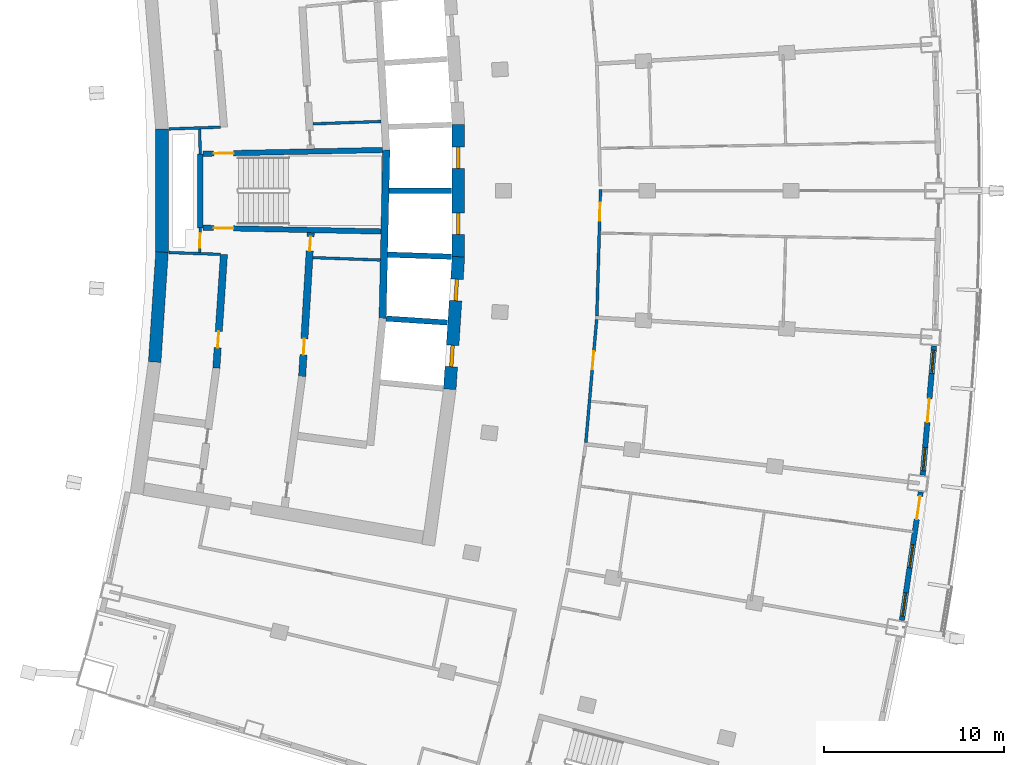
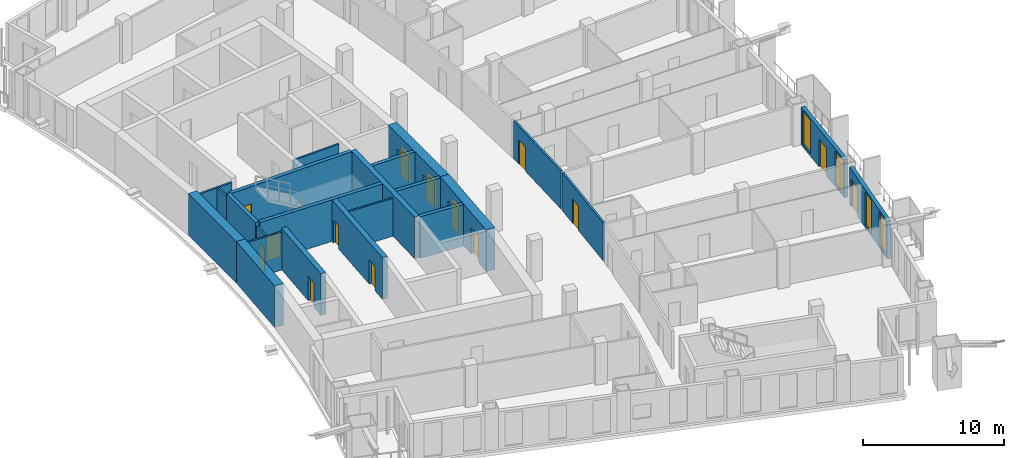
# One storey, part 13 of 22: 23 walls, 14 doors, 4 windows, 18 openings.
"""IFC4 building model written with IfcOpenShell, lengths in metres."""

from ifc_helpers import new_model, si_unit, direction, frame, frame_2d, origin, place, context, subcontext, project, spatial, rectangle, extrude, material, layer, layer_set, type_object, element, fill, save


model = new_model("IFC4")

# Units and contexts
model_context = context("Model", 3, precision=1e-05, world=origin(), true_north=direction((0.0, 1.0)))
body_context = subcontext(model_context, "Body", "Model", "MODEL_VIEW")
ifc_project = project(units=[si_unit("LENGTHUNIT", "METRE"), si_unit("AREAUNIT", "SQUARE_METRE"), si_unit("VOLUMEUNIT", "CUBIC_METRE"), si_unit("PLANEANGLEUNIT", "RADIAN"), si_unit("MASSUNIT", "GRAM", prefix="KILO")], contexts=[model_context])

# Site, building, storey
site_placement = place(None, origin())
site = spatial("IfcSite", under=ifc_project, at=site_placement, CompositionType="ELEMENT")
building_placement = place(site_placement, origin())
building = spatial("IfcBuilding", under=site, at=building_placement, Name="Alderwake Tower", CompositionType="ELEMENT")
storey_placement = place(building_placement, frame((0.0, 0.0, 156.800048828125)))
storey = spatial("IfcBuildingStorey", under=building, at=storey_placement, Name="L38", CompositionType="ELEMENT", Elevation=156.800048828125)

# Walls
ifc_material_1 = material(Name="Gypsum shaft wall system, rated")
ifc_layer_1 = layer(ifc_material_1, 0.14990234375)
ifc_layer_set_1 = layer_set([ifc_layer_1], Name="Core riser partition 150")
wall_type_1 = type_object("IfcWallType", Name="Core riser partition 150", PredefinedType="PARTITIONING", material=ifc_layer_set_1)
wall_1_placement = place(storey_placement, frame((25.1904296875, 57.276611328125, 0.0), z_axis=(0.0, 0.0, 1.0), x_axis=(0.99937350076, -0.035392173974, 0.0)))
element("IfcWall", 1, at=wall_1_placement, inside=storey, type_object=wall_type_1, Name="CW/L38/PR-37_+86", PredefinedType="PARTITIONING", context=body_context, shape_type="SweptSolid", body=[
    extrude(rectangle(XDim=3.752685546875, YDim=0.14990234375, at=frame_2d((1.87646484375, 0.0))), origin(), (0.0, 0.0, 1.0), 3.280029296875),
])
wall_2_placement = place(storey_placement, frame((25.191162109375, 64.723388671875, 0.0), z_axis=(0.0, 0.0, 1.0), x_axis=(0.999373627871, 0.035388584556, 0.0)))
element("IfcWall", 2, at=wall_2_placement, inside=storey, type_object=wall_type_1, Name="CW/L38/PR+37_+86", PredefinedType="PARTITIONING", context=body_context, shape_type="SweptSolid", body=[
    extrude(rectangle(XDim=3.79443359375, YDim=0.14990234375, at=frame_2d((1.897216796875, 0.0))), origin(), (0.0, 0.0, 1.0), 3.280029296875),
])

# Wall, opening, door
ifc_material_2 = material(Name="Gypsum shaft wall system, rated")
ifc_layer_2 = layer(ifc_material_2, 0.14990234375)
ifc_layer_set_2 = layer_set([ifc_layer_2], Name="Core room partition 150")
wall_type_2 = type_object("IfcWallType", Name="Core room partition 150", PredefinedType="PARTITIONING", material=ifc_layer_set_2)
wall_3_placement = place(storey_placement, frame((18.918701171875, 58.94384765625, 0.0), z_axis=(0.0, 0.0, 1.0), x_axis=(-0.027811602725, -0.999613182563, 0.0)))
wall_3 = element("IfcWall", 3, at=wall_3_placement, inside=storey, type_object=wall_type_2, Name="CW/L38/PA+24_-37", PredefinedType="PARTITIONING", context=body_context, shape_type="SweptSolid", body=[
    extrude(rectangle(XDim=1.369384765625, YDim=0.14990234375, at=frame_2d((0.6845703125, 0.0))), origin(), (0.0, 0.0, 1.0), 3.280029296875),
])
opening_1_placement = place(wall_3_placement, frame((0.322998046875, 0.0, 0.0)))
opening_1 = element("IfcOpeningElement", 4, at=opening_1_placement, cuts=wall_3, Name="Opening C004", PredefinedType="OPENING", context=body_context, shape_type="SweptSolid", body=[
    extrude(rectangle(XDim=0.800048828125, YDim=2.0, at=frame_2d((0.39990234375, 1.0))), frame((0.0, 0.0849609375, 0.0), z_axis=(0.0, -1.0, 0.0), x_axis=(1.0, 0.0, 0.0)), (0.0, 0.0, 1.0), 0.169921875),
])
ifc_material_3 = material(Name="Painted steel leaf, rated", Category="steel")
door_type_1 = type_object("IfcDoorType", Name="Riser access door 800", OperationType="SINGLE_SWING_LEFT", PredefinedType="DOOR", material=ifc_material_3)
door_1_placement = place(opening_1_placement, origin())
door_1 = element("IfcDoor", 5, at=door_1_placement, inside=storey, type_object=door_type_1, Name="Riser access door", OperationType="SINGLE_SWING_RIGHT", OverallHeight=2.0, OverallWidth=0.800048828125, PredefinedType="DOOR", context=body_context, shape_type="SweptSolid", body=[
    extrude(rectangle(XDim=0.800048828125, YDim=2.0, at=frame_2d((0.39990234375, 1.0))), frame((0.0, 0.02490234375, 0.0), z_axis=(0.0, -1.0, 0.0), x_axis=(1.0, 0.0, 0.0)), (0.0, 0.0, 1.0), 0.050048828125),
])
fill(opening_1, door_1)

# Walls
wall_4_placement = place(storey_placement, frame((18.918701171875, 63.05517578125, 0.0), z_axis=(0.0, 0.0, 1.0), x_axis=(-0.027791791559, 0.99961373356, 0.0)))
element("IfcWall", 6, at=wall_4_placement, inside=storey, type_object=wall_type_2, Name="CW/L38/PA+24_+22", PredefinedType="PARTITIONING", context=body_context, shape_type="SweptSolid", body=[
    extrude(rectangle(XDim=1.370361328125, YDim=0.14990234375, at=frame_2d((0.68505859375, 0.0))), origin(), (0.0, 0.0, 1.0), 3.280029296875),
])
wall_5_placement = place(storey_placement, frame((17.169189453125, 57.560546875, 0.0), z_axis=(0.0, 0.0, 1.0), x_axis=(0.999373538371, -0.03539111194, 0.0)))
element("IfcWall", 7, at=wall_5_placement, inside=storey, type_object=wall_type_2, Name="CW/L38/PR-37_+0", PredefinedType="PARTITIONING", context=body_context, shape_type="SweptSolid", body=[
    extrude(rectangle(XDim=2.86962890625, YDim=0.14990234375, at=frame_2d((1.434814453125, 0.0))), origin(), (0.0, 0.0, 1.0), 3.280029296875),
])
wall_6_placement = place(storey_placement, frame((17.16943359375, 64.439453125, 0.0), z_axis=(0.0, 0.0, 1.0), x_axis=(0.999373431798, 0.035394121201, 0.0)))
element("IfcWall", 8, at=wall_6_placement, inside=storey, type_object=wall_type_2, Name="CW/L38/PR+37_+0", PredefinedType="PARTITIONING", context=body_context, shape_type="SweptSolid", body=[
    extrude(rectangle(XDim=2.869384765625, YDim=0.14990234375, at=frame_2d((1.4345703125, 0.0))), origin(), (0.0, 0.0, 1.0), 3.280029296875),
])
ifc_material_4 = material(Name="Concrete C70/85", Category="concrete")
ifc_layer_3 = layer(ifc_material_4, 0.699951171875)
ifc_layer_set_3 = layer_set([ifc_layer_3], Name="Core wall outer 700 C70-85")
wall_type_3 = type_object("IfcWallType", Name="Core wall outer 700 C70-85", PredefinedType="SHEAR", material=ifc_layer_set_3)
wall_7_placement = place(storey_placement, frame((16.379638671875, 51.46337890625, 0.0), z_axis=(0.0, 0.0, 1.0), x_axis=(0.066917731608, 0.997758496429, 0.0)))
element("IfcWall", 9, at=wall_7_placement, inside=storey, type_object=wall_type_3, Name="Core wall CW.041", PredefinedType="SHEAR", context=body_context, shape_type="SweptSolid", body=[
    extrude(rectangle(XDim=6.136474609375, YDim=0.699951171875, at=frame_2d((3.068359375, 0.0))), origin(), (0.0, 0.0, 1.0), 3.599853515625),
])
wall_8_placement = place(storey_placement, frame((16.789306640625, 57.561767578125, 0.0), z_axis=(0.0, 0.0, 1.0), x_axis=(0.0, 1.0, 0.0)))
element("IfcWall", 10, at=wall_8_placement, inside=storey, type_object=wall_type_3, Name="Core wall CW.043", PredefinedType="SHEAR", context=body_context, shape_type="SweptSolid", body=[
    extrude(rectangle(XDim=6.87939453125, YDim=0.699951171875, at=frame_2d((3.439697265625, 0.0))), origin(), (0.0, 0.0, 1.0), 3.599853515625),
])

# Wall, openings, doors
wall_9_placement = place(storey_placement, frame((32.810302734375, 49.9482421875, 0.0), z_axis=(0.0, 0.0, 1.0), x_axis=(0.065009096017, 0.99788467141, 0.0)))
wall_9 = element("IfcWall", 11, at=wall_9_placement, inside=storey, type_object=wall_type_3, Name="Core wall CW.011", PredefinedType="SHEAR", context=body_context, shape_type="SweptSolid", body=[
    extrude(rectangle(XDim=7.39453125, YDim=0.699951171875, at=frame_2d((3.697265625, 0.0))), origin(), (0.0, 0.0, 1.0), 3.599853515625),
])
opening_2_placement = place(wall_9_placement, frame((1.255126953125, 0.0, 0.0)))
opening_2 = element("IfcOpeningElement", 12, at=opening_2_placement, cuts=wall_9, Name="Opening LD-HP1", PredefinedType="OPENING", context=body_context, shape_type="SweptSolid", body=[
    extrude(rectangle(XDim=1.199951171875, YDim=2.300048828125, at=frame_2d((0.60009765625, 1.14990234375))), frame((0.0, 0.35986328125, 0.0), z_axis=(0.0, -1.0, 0.0), x_axis=(1.0, 0.0, 0.0)), (0.0, 0.0, 1.0), 0.719970703125),
])
opening_3_placement = place(wall_9_placement, frame((4.9404296875, 0.0, 0.0)))
opening_3 = element("IfcOpeningElement", 13, at=opening_3_placement, cuts=wall_9, Name="Opening LD-HP2", PredefinedType="OPENING", context=body_context, shape_type="SweptSolid", body=[
    extrude(rectangle(XDim=1.199951171875, YDim=2.300048828125, at=frame_2d((0.60009765625, 1.14990234375))), frame((0.0, 0.35986328125, 0.0), z_axis=(0.0, -1.0, 0.0), x_axis=(1.0, 0.0, 0.0)), (0.0, 0.0, 1.0), 0.719970703125),
])
ifc_material_5 = material(Name="Stainless steel sliding leaf", Category="steel")
door_type_2 = type_object("IfcDoorType", Name="Lift landing door 1200", OperationType="SLIDING_TO_LEFT", PredefinedType="DOOR", material=ifc_material_5)
door_2_placement = place(opening_2_placement, origin())
door_2 = element("IfcDoor", 14, at=door_2_placement, inside=storey, type_object=door_type_2, Name="Lift landing door HP1", OperationType="SLIDING_TO_LEFT", OverallHeight=2.300048828125, OverallWidth=1.199951171875, PredefinedType="DOOR", context=body_context, shape_type="SweptSolid", body=[
    extrude(rectangle(XDim=1.199951171875, YDim=2.300048828125, at=frame_2d((0.60009765625, 1.14990234375))), frame((0.0, 0.10009765625, 0.0), z_axis=(0.0, -1.0, 0.0), x_axis=(1.0, 0.0, 0.0)), (0.0, 0.0, 1.0), 0.199951171875),
])
fill(opening_2, door_2)
door_3_placement = place(opening_3_placement, origin())
door_3 = element("IfcDoor", 15, at=door_3_placement, inside=storey, type_object=door_type_2, Name="Lift landing door HP2", OperationType="SLIDING_TO_LEFT", OverallHeight=2.300048828125, OverallWidth=1.199951171875, PredefinedType="DOOR", context=body_context, shape_type="SweptSolid", body=[
    extrude(rectangle(XDim=1.199951171875, YDim=2.300048828125, at=frame_2d((0.60009765625, 1.14990234375))), frame((0.0, 0.10009765625, 0.0), z_axis=(0.0, -1.0, 0.0), x_axis=(1.0, 0.0, 0.0)), (0.0, 0.0, 1.0), 0.199951171875),
])
fill(opening_3, door_3)

wall_10_placement = place(storey_placement, frame((33.2900390625, 57.30322265625, 0.0), z_axis=(0.0, 0.0, 1.0), x_axis=(0.0, 1.0, 0.0)))
wall_10 = element("IfcWall", 16, at=wall_10_placement, inside=storey, type_object=wall_type_3, Name="Core wall CW.013", PredefinedType="SHEAR", context=body_context, shape_type="SweptSolid", body=[
    extrude(rectangle(XDim=7.3935546875, YDim=0.699951171875, at=frame_2d((3.69677734375, 0.0))), origin(), (0.0, 0.0, 1.0), 3.599853515625),
])
opening_4_placement = place(wall_10_placement, frame((1.254150390625, 0.0, 0.0)))
opening_4 = element("IfcOpeningElement", 17, at=opening_4_placement, cuts=wall_10, Name="Opening LD-HP3", PredefinedType="OPENING", context=body_context, shape_type="SweptSolid", body=[
    extrude(rectangle(XDim=1.199951171875, YDim=2.300048828125, at=frame_2d((0.60009765625, 1.14990234375))), frame((0.0, 0.35986328125, 0.0), z_axis=(0.0, -1.0, 0.0), x_axis=(1.0, 0.0, 0.0)), (0.0, 0.0, 1.0), 0.719970703125),
])
opening_5_placement = place(wall_10_placement, frame((4.939208984375, 0.0, 0.0)))
opening_5 = element("IfcOpeningElement", 18, at=opening_5_placement, cuts=wall_10, Name="Opening LD-HP4", PredefinedType="OPENING", context=body_context, shape_type="SweptSolid", body=[
    extrude(rectangle(XDim=1.199951171875, YDim=2.300048828125, at=frame_2d((0.60009765625, 1.14990234375))), frame((0.0, 0.35986328125, 0.0), z_axis=(0.0, -1.0, 0.0), x_axis=(1.0, 0.0, 0.0)), (0.0, 0.0, 1.0), 0.719970703125),
])
door_4_placement = place(opening_4_placement, origin())
door_4 = element("IfcDoor", 19, at=door_4_placement, inside=storey, type_object=door_type_2, Name="Lift landing door HP3", OperationType="SLIDING_TO_LEFT", OverallHeight=2.300048828125, OverallWidth=1.199951171875, PredefinedType="DOOR", context=body_context, shape_type="SweptSolid", body=[
    extrude(rectangle(XDim=1.199951171875, YDim=2.300048828125, at=frame_2d((0.60009765625, 1.14990234375))), frame((0.0, 0.10009765625, 0.0), z_axis=(0.0, -1.0, 0.0), x_axis=(1.0, 0.0, 0.0)), (0.0, 0.0, 1.0), 0.199951171875),
])
fill(opening_4, door_4)
door_5_placement = place(opening_5_placement, origin())
door_5 = element("IfcDoor", 20, at=door_5_placement, inside=storey, type_object=door_type_2, Name="Lift landing door HP4", OperationType="SLIDING_TO_LEFT", OverallHeight=2.300048828125, OverallWidth=1.199951171875, PredefinedType="DOOR", context=body_context, shape_type="SweptSolid", body=[
    extrude(rectangle(XDim=1.199951171875, YDim=2.300048828125, at=frame_2d((0.60009765625, 1.14990234375))), frame((0.0, 0.10009765625, 0.0), z_axis=(0.0, -1.0, 0.0), x_axis=(1.0, 0.0, 0.0)), (0.0, 0.0, 1.0), 0.199951171875),
])
fill(opening_5, door_5)

# Walls
ifc_material_6 = material(Name="Concrete C70/85", Category="concrete")
ifc_layer_4 = layer(ifc_material_6, 0.300048828125)
ifc_layer_set_4 = layer_set([ifc_layer_4], Name="Core wall shaft 300 C70-85")
wall_type_4 = type_object("IfcWallType", Name="Core wall shaft 300 C70-85", PredefinedType="SHEAR", material=ifc_layer_set_4)
wall_11_placement = place(storey_placement, frame((29.268798828125, 53.884521484375, 0.0), z_axis=(0.0, 0.0, 1.0), x_axis=(0.997884450261, -0.065012490553, 0.0)))
element("IfcWall", 21, at=wall_11_placement, inside=storey, type_object=wall_type_4, Name="Core wall CW.078", PredefinedType="SHEAR", context=body_context, shape_type="SweptSolid", body=[
    extrude(rectangle(XDim=3.409912109375, YDim=0.300048828125, at=frame_2d((1.705078125, 0.0))), origin(), (0.0, 0.0, 1.0), 3.599853515625),
])
wall_12_placement = place(storey_placement, frame((29.347412109375, 57.443603515625, 0.0), z_axis=(0.0, 0.0, 1.0), x_axis=(0.999470674121, -0.03253262319, 0.0)))
element("IfcWall", 22, at=wall_12_placement, inside=storey, type_object=wall_type_4, Name="Core wall CW.075", PredefinedType="SHEAR", context=body_context, shape_type="SweptSolid", body=[
    extrude(rectangle(XDim=3.564697265625, YDim=0.300048828125, at=frame_2d((1.7822265625, 0.0))), origin(), (0.0, 0.0, 1.0), 3.599853515625),
])
wall_13_placement = place(storey_placement, frame((29.426025390625, 61.0, 0.0), z_axis=(0.0, 0.0, 1.0), x_axis=(1.0, 0.0, 0.0)))
element("IfcWall", 23, at=wall_13_placement, inside=storey, type_object=wall_type_4, Name="Core wall CW.048", PredefinedType="SHEAR", context=body_context, shape_type="SweptSolid", body=[
    extrude(rectangle(XDim=3.484130859375, YDim=0.300048828125, at=frame_2d((1.7421875, 0.0))), origin(), (0.0, 0.0, 1.0), 3.599853515625),
])

# Wall, opening, door
ifc_material_7 = material(Name="Concrete C70/85", Category="concrete")
ifc_layer_5 = layer(ifc_material_7, 0.39990234375)
ifc_layer_set_5 = layer_set([ifc_layer_5], Name="Core wall spine 400 C70-85")
wall_type_5 = type_object("IfcWallType", Name="Core wall spine 400 C70-85", PredefinedType="SHEAR", material=ifc_layer_set_5)
wall_14_placement = place(storey_placement, frame((20.2373046875, 57.451904296875, 0.0), z_axis=(0.0, 0.0, 1.0), x_axis=(-0.066887252767, -0.997760540118, 0.0)))
wall_14 = element("IfcWall", 24, at=wall_14_placement, inside=storey, type_object=wall_type_5, Name="Core wall CW.032", PredefinedType="SHEAR", context=body_context, shape_type="SweptSolid", body=[
    extrude(rectangle(XDim=6.33642578125, YDim=0.39990234375, at=frame_2d((3.168212890625, 0.0))), origin(), (0.0, 0.0, 1.0), 3.599853515625),
])
opening_6_placement = place(wall_14_placement, frame((4.29736328125, 0.0, 0.0)))
opening_6 = element("IfcOpeningElement", 25, at=opening_6_placement, cuts=wall_14, Name="Opening C037", PredefinedType="OPENING", context=body_context, shape_type="SweptSolid", body=[
    extrude(rectangle(XDim=0.89990234375, YDim=2.10009765625, at=frame_2d((0.449951171875, 1.050048828125))), frame((0.0, 0.2099609375, 0.0), z_axis=(0.0, -1.0, 0.0), x_axis=(1.0, 0.0, 0.0)), (0.0, 0.0, 1.0), 0.419921875),
])
ifc_material_8 = material(Name="Painted steel leaf", Category="steel")
door_type_3 = type_object("IfcDoorType", Name="Core room door 900", OperationType="SINGLE_SWING_LEFT", PredefinedType="DOOR", material=ifc_material_8)
door_6_placement = place(opening_6_placement, origin())
door_6 = element("IfcDoor", 26, at=door_6_placement, inside=storey, type_object=door_type_3, Name="Room door", OperationType="SINGLE_SWING_RIGHT", OverallHeight=2.10009765625, OverallWidth=0.89990234375, PredefinedType="DOOR", context=body_context, shape_type="SweptSolid", body=[
    extrude(rectangle(XDim=0.89990234375, YDim=2.10009765625, at=frame_2d((0.449951171875, 1.050048828125))), frame((0.0, 0.02490234375, 0.0), z_axis=(0.0, -1.0, 0.0), x_axis=(1.0, 0.0, 0.0)), (0.0, 0.0, 1.0), 0.050048828125),
])
fill(opening_6, door_6)

# Wall, openings, doors
wall_15_placement = place(storey_placement, frame((24.590087890625, 50.656982421875, 0.0), z_axis=(0.0, 0.0, 1.0), x_axis=(0.060320473855, 0.99817906231, 0.0)))
wall_15 = element("IfcWall", 27, at=wall_15_placement, inside=storey, type_object=wall_type_5, Name="Core wall CW.046", PredefinedType="SHEAR", context=body_context, shape_type="SweptSolid", body=[
    extrude(rectangle(XDim=8.02197265625, YDim=0.39990234375, at=frame_2d((4.010986328125, 0.0))), origin(), (0.0, 0.0, 1.0), 3.599853515625),
])
opening_7_placement = place(wall_15_placement, frame((7.005859375, 0.0, 0.0)))
opening_7 = element("IfcOpeningElement", 28, at=opening_7_placement, cuts=wall_15, Name="Opening C006", PredefinedType="OPENING", context=body_context, shape_type="SweptSolid", body=[
    extrude(rectangle(XDim=0.800048828125, YDim=2.0, at=frame_2d((0.39990234375, 1.0))), frame((0.0, 0.2099609375, 0.0), z_axis=(0.0, -1.0, 0.0), x_axis=(1.0, 0.0, 0.0)), (0.0, 0.0, 1.0), 0.419921875),
])
opening_8_placement = place(wall_15_placement, frame((1.21533203125, 0.0, 0.0)))
opening_8 = element("IfcOpeningElement", 29, at=opening_8_placement, cuts=wall_15, Name="Opening C043", PredefinedType="OPENING", context=body_context, shape_type="SweptSolid", body=[
    extrude(rectangle(XDim=0.89990234375, YDim=2.10009765625, at=frame_2d((0.449951171875, 1.050048828125))), frame((0.0, 0.2099609375, 0.0), z_axis=(0.0, -1.0, 0.0), x_axis=(1.0, 0.0, 0.0)), (0.0, 0.0, 1.0), 0.419921875),
])
door_7_placement = place(opening_8_placement, origin())
door_7 = element("IfcDoor", 30, at=door_7_placement, inside=storey, type_object=door_type_3, Name="Room door", OperationType="SINGLE_SWING_LEFT", OverallHeight=2.10009765625, OverallWidth=0.89990234375, PredefinedType="DOOR", context=body_context, shape_type="SweptSolid", body=[
    extrude(rectangle(XDim=0.89990234375, YDim=2.10009765625, at=frame_2d((0.449951171875, 1.050048828125))), frame((0.0, 0.02490234375, 0.0), z_axis=(0.0, -1.0, 0.0), x_axis=(1.0, 0.0, 0.0)), (0.0, 0.0, 1.0), 0.050048828125),
])
fill(opening_8, door_7)
door_8_placement = place(opening_7_placement, origin())
door_8 = element("IfcDoor", 31, at=door_8_placement, inside=storey, type_object=door_type_1, Name="Riser access door", OperationType="SINGLE_SWING_RIGHT", OverallHeight=2.0, OverallWidth=0.800048828125, PredefinedType="DOOR", context=body_context, shape_type="SweptSolid", body=[
    extrude(rectangle(XDim=0.800048828125, YDim=2.0, at=frame_2d((0.39990234375, 1.0))), frame((0.0, 0.02490234375, 0.0), z_axis=(0.0, -1.0, 0.0), x_axis=(1.0, 0.0, 0.0)), (0.0, 0.0, 1.0), 0.050048828125),
])
fill(opening_7, door_8)

# Walls
wall_16_placement = place(storey_placement, frame((29.06884765625, 53.889404296875, 0.0), z_axis=(0.0, 0.0, 1.0), x_axis=(0.022115148322, 0.9997554302, 0.0)))
element("IfcWall", 32, at=wall_16_placement, inside=storey, type_object=wall_type_5, Name="Core wall CW.008", PredefinedType="SHEAR", context=body_context, shape_type="SweptSolid", body=[
    extrude(rectangle(XDim=9.39453125, YDim=0.39990234375, at=frame_2d((4.697265625, 0.0))), origin(), (0.0, 0.0, 1.0), 3.599853515625),
])
ifc_material_9 = material(Name="Concrete C70/85", Category="concrete")
ifc_layer_6 = layer(ifc_material_9, 0.300048828125)
ifc_layer_set_6 = layer_set([ifc_layer_6], Name="Core wall stair enclosure 300 C70-85")
wall_type_6 = type_object("IfcWallType", Name="Core wall stair enclosure 300 C70-85", PredefinedType="SHEAR", material=ifc_layer_set_6)
wall_17_placement = place(storey_placement, frame((18.918701171875, 58.940673828125, 0.0), z_axis=(0.0, 0.0, 1.0), x_axis=(0.0, 1.0, 0.0)))
element("IfcWall", 33, at=wall_17_placement, inside=storey, type_object=wall_type_6, Name="Core wall CW.024", PredefinedType="SHEAR", context=body_context, shape_type="SweptSolid", body=[
    extrude(rectangle(XDim=4.11962890625, YDim=0.300048828125, at=frame_2d((2.059814453125, 0.0))), origin(), (0.0, 0.0, 1.0), 3.599853515625),
])

# Wall, opening, door
wall_18_placement = place(storey_placement, frame((28.975830078125, 58.733154296875, 0.0), z_axis=(0.0, 0.0, 1.0), x_axis=(-0.999783782948, 0.020793925895, 0.0)))
wall_18 = element("IfcWall", 34, at=wall_18_placement, inside=storey, type_object=wall_type_6, Name="Core wall CW.074", PredefinedType="SHEAR", context=body_context, shape_type="SweptSolid", body=[
    extrude(rectangle(XDim=9.909423828125, YDim=0.300048828125, at=frame_2d((4.95458984375, 0.0))), origin(), (0.0, 0.0, 1.0), 3.599853515625),
])
opening_9_placement = place(wall_18_placement, frame((8.20947265625, 0.0, 0.0)))
opening_9 = element("IfcOpeningElement", 35, at=opening_9_placement, cuts=wall_18, Name="Opening C063", PredefinedType="OPENING", context=body_context, shape_type="SweptSolid", body=[
    extrude(rectangle(XDim=1.10009765625, YDim=2.10009765625, at=frame_2d((0.550048828125, 1.050048828125))), frame((0.0, 0.159912109375, 0.0), z_axis=(0.0, -1.0, 0.0), x_axis=(1.0, 0.0, 0.0)), (0.0, 0.0, 1.0), 0.320068359375),
])
ifc_material_10 = material(Name="Steel-framed fire door leaf", Category="steel")
door_type_4 = type_object("IfcDoorType", Name="Core stair door 1100 fire-rated", OperationType="SINGLE_SWING_LEFT", PredefinedType="DOOR", material=ifc_material_10)
door_9_placement = place(opening_9_placement, origin())
door_9 = element("IfcDoor", 36, at=door_9_placement, inside=storey, type_object=door_type_4, Name="Stair door", OperationType="SINGLE_SWING_LEFT", OverallHeight=2.10009765625, OverallWidth=1.10009765625, PredefinedType="DOOR", context=body_context, shape_type="SweptSolid", body=[
    extrude(rectangle(XDim=1.10009765625, YDim=2.10009765625, at=frame_2d((0.550048828125, 1.050048828125))), frame((0.0, 0.02490234375, 0.0), z_axis=(0.0, -1.0, 0.0), x_axis=(1.0, 0.0, 0.0)), (0.0, 0.0, 1.0), 0.050048828125),
])
fill(opening_9, door_9)

wall_19_placement = place(storey_placement, frame((19.068603515625, 63.060791015625, 0.0), z_axis=(0.0, 0.0, 1.0), x_axis=(0.999783553773, 0.02080494185, 0.0)))
wall_19 = element("IfcWall", 37, at=wall_19_placement, inside=storey, type_object=wall_type_6, Name="Core wall CW.057", PredefinedType="SHEAR", context=body_context, shape_type="SweptSolid", body=[
    extrude(rectangle(XDim=10.009765625, YDim=0.300048828125, at=frame_2d((5.0048828125, 0.0))), origin(), (0.0, 0.0, 1.0), 3.599853515625),
])
opening_10_placement = place(wall_19_placement, frame((0.60009765625, 0.0, 0.0)))
opening_10 = element("IfcOpeningElement", 38, at=opening_10_placement, cuts=wall_19, Name="Opening C064", PredefinedType="OPENING", context=body_context, shape_type="SweptSolid", body=[
    extrude(rectangle(XDim=1.10009765625, YDim=2.10009765625, at=frame_2d((0.550048828125, 1.050048828125))), frame((0.0, 0.159912109375, 0.0), z_axis=(0.0, -1.0, 0.0), x_axis=(1.0, 0.0, 0.0)), (0.0, 0.0, 1.0), 0.320068359375),
])
door_10_placement = place(opening_10_placement, origin())
door_10 = element("IfcDoor", 39, at=door_10_placement, inside=storey, type_object=door_type_4, Name="Stair door", OperationType="SINGLE_SWING_RIGHT", OverallHeight=2.10009765625, OverallWidth=1.10009765625, PredefinedType="DOOR", context=body_context, shape_type="SweptSolid", body=[
    extrude(rectangle(XDim=1.10009765625, YDim=2.10009765625, at=frame_2d((0.550048828125, 1.050048828125))), frame((0.0, 0.02490234375, 0.0), z_axis=(0.0, -1.0, 0.0), x_axis=(1.0, 0.0, 0.0)), (0.0, 0.0, 1.0), 0.050048828125),
])
fill(opening_10, door_10)

ifc_material_11 = material(Name="Gypsum board on metal studs, rated")
ifc_layer_7 = layer(ifc_material_11, 0.159912109375)
ifc_layer_set_7 = layer_set([ifc_layer_7], Name="Corridor wall 160")
wall_type_7 = type_object("IfcWallType", Name="Corridor wall 160", PredefinedType="PARTITIONING", material=ifc_layer_set_7)
wall_20_placement = place(storey_placement, frame((40.986328125, 53.834228515625, 0.0), z_axis=(0.0, 0.0, 1.0), x_axis=(-0.087448731147, -0.996169021512, 0.0)))
wall_20 = element("IfcWall", 40, at=wall_20_placement, inside=storey, type_object=wall_type_7, Name="WL/L38/W25", PredefinedType="PARTITIONING", context=body_context, shape_type="SweptSolid", body=[
    extrude(rectangle(XDim=6.867919921875, YDim=0.159912109375, at=frame_2d((3.43408203125, 0.0))), origin(), (0.0, 0.0, 1.0), 3.280029296875),
])
opening_11_placement = place(wall_20_placement, frame((1.78271484375, 0.0, 0.0)))
opening_11 = element("IfcOpeningElement", 41, at=opening_11_placement, cuts=wall_20, Name="Opening R10-U04.1", PredefinedType="OPENING", context=body_context, shape_type="SweptSolid", body=[
    extrude(rectangle(XDim=1.0, YDim=2.10009765625, at=frame_2d((0.5, 1.050048828125))), frame((0.0, 0.08984375, 0.0), z_axis=(0.0, -1.0, 0.0), x_axis=(1.0, 0.0, 0.0)), (0.0, 0.0, 1.0), 0.179931640625),
])
ifc_material_12 = material(Name="Solid timber leaf in steel frame", Category="steel")
door_type_5 = type_object("IfcDoorType", Name="Flat entrance door 1000 fire-rated", OperationType="SINGLE_SWING_LEFT", PredefinedType="DOOR", material=ifc_material_12)
door_11_placement = place(opening_11_placement, origin())
door_11 = element("IfcDoor", 42, at=door_11_placement, inside=storey, type_object=door_type_5, Name="DR/L38/U04.1", OperationType="SINGLE_SWING_LEFT", OverallHeight=2.10009765625, OverallWidth=1.0, PredefinedType="DOOR", context=body_context, shape_type="SweptSolid", body=[
    extrude(rectangle(XDim=1.0, YDim=2.10009765625, at=frame_2d((0.5, 1.050048828125))), frame((0.0, 0.02490234375, 0.0), z_axis=(0.0, -1.0, 0.0), x_axis=(1.0, 0.0, 0.0)), (0.0, 0.0, 1.0), 0.050048828125),
])
fill(opening_11, door_11)

wall_21_placement = place(storey_placement, frame((41.201416015625, 61.0791015625, 0.0), z_axis=(0.0, 0.0, 1.0), x_axis=(-0.028889070526, -0.999582623701, 0.0)))
wall_21 = element("IfcWall", 43, at=wall_21_placement, inside=storey, type_object=wall_type_7, Name="WL/L38/W26", PredefinedType="PARTITIONING", context=body_context, shape_type="SweptSolid", body=[
    extrude(rectangle(XDim=7.048095703125, YDim=0.159912109375, at=frame_2d((3.52392578125, 0.0))), origin(), (0.0, 0.0, 1.0), 3.280029296875),
])
opening_12_placement = place(wall_21_placement, frame((0.757080078125, 0.0, 0.0)))
opening_12 = element("IfcOpeningElement", 44, at=opening_12_placement, cuts=wall_21, Name="Opening R10-U05.2", PredefinedType="OPENING", context=body_context, shape_type="SweptSolid", body=[
    extrude(rectangle(XDim=1.0, YDim=2.10009765625, at=frame_2d((0.5, 1.050048828125))), frame((0.0, 0.08984375, 0.0), z_axis=(0.0, -1.0, 0.0), x_axis=(1.0, 0.0, 0.0)), (0.0, 0.0, 1.0), 0.179931640625),
])
door_12_placement = place(opening_12_placement, origin())
door_12 = element("IfcDoor", 45, at=door_12_placement, inside=storey, type_object=door_type_5, Name="DR/L38/U05.2", OperationType="SINGLE_SWING_LEFT", OverallHeight=2.10009765625, OverallWidth=1.0, PredefinedType="DOOR", context=body_context, shape_type="SweptSolid", body=[
    extrude(rectangle(XDim=1.0, YDim=2.10009765625, at=frame_2d((0.5, 1.050048828125))), frame((0.0, 0.02490234375, 0.0), z_axis=(0.0, -1.0, 0.0), x_axis=(1.0, 0.0, 0.0)), (0.0, 0.0, 1.0), 0.050048828125),
])
fill(opening_12, door_12)

# Wall, openings, door, windows
ifc_material_13 = material(Name="Precast concrete C50/60 spandrel panel", Category="concrete")
ifc_layer_8 = layer(ifc_material_13, 0.300048828125)
ifc_layer_set_8 = layer_set([ifc_layer_8], Name="External wall EW1 Precast concrete C50/60 spandrel")
wall_type_8 = type_object("IfcWallType", Name="External wall EW1 Precast concrete C50/60 spandrel", PredefinedType="SOLIDWALL", material=ifc_layer_set_8)
wall_22_placement = place(storey_placement, frame((57.979736328125, 37.084228515625, 0.0), z_axis=(0.0, 0.0, 1.0), x_axis=(0.145324652045, 0.989384023273, 0.0)))
wall_22 = element("IfcWall", 46, at=wall_22_placement, inside=storey, type_object=wall_type_8, Name="External wall 13", PredefinedType="SOLIDWALL", context=body_context, shape_type="SweptSolid", body=[
    extrude(rectangle(XDim=7.22216796875, YDim=0.300048828125, at=frame_2d((3.611083984375, 0.0))), origin(), (0.0, 0.0, 1.0), 3.280029296875),
])
opening_13_placement = place(wall_22_placement, frame((0.2431640625, 0.0, 0.199951171875)))
opening_13 = element("IfcOpeningElement", 47, at=opening_13_placement, cuts=wall_22, Name="Opening W1", PredefinedType="OPENING", context=body_context, shape_type="SweptSolid", body=[
    extrude(rectangle(XDim=1.300048828125, YDim=2.89990234375, at=frame_2d((0.64990234375, 1.449951171875))), frame((0.0, 0.159912109375, 0.0), z_axis=(0.0, -1.0, 0.0), x_axis=(1.0, 0.0, 0.0)), (0.0, 0.0, 1.0), 0.320068359375),
])
opening_14_placement = place(wall_22_placement, frame((2.961181640625, 0.0, 0.199951171875)))
opening_14 = element("IfcOpeningElement", 48, at=opening_14_placement, cuts=wall_22, Name="Opening W1", PredefinedType="OPENING", context=body_context, shape_type="SweptSolid", body=[
    extrude(rectangle(XDim=1.300048828125, YDim=2.89990234375, at=frame_2d((0.64990234375, 1.449951171875))), frame((0.0, 0.159912109375, 0.0), z_axis=(0.0, -1.0, 0.0), x_axis=(1.0, 0.0, 0.0)), (0.0, 0.0, 1.0), 0.320068359375),
])
opening_15_placement = place(wall_22_placement, frame((5.678955078125, 0.0, 0.0)))
opening_15 = element("IfcOpeningElement", 49, at=opening_15_placement, cuts=wall_22, Name="Opening D02", PredefinedType="OPENING", context=body_context, shape_type="SweptSolid", body=[
    extrude(rectangle(XDim=1.300048828125, YDim=2.39990234375, at=frame_2d((0.64990234375, 1.199951171875))), frame((0.0, 0.159912109375, 0.0), z_axis=(0.0, -1.0, 0.0), x_axis=(1.0, 0.0, 0.0)), (0.0, 0.0, 1.0), 0.320068359375),
])
ifc_material_14 = material(Name="Bronze tinted glass in aluminium frame", Category="aluminium")
door_type_6 = type_object("IfcDoorType", Name="Balcony door BD sliding", OperationType="SLIDING_TO_LEFT", PredefinedType="DOOR", material=ifc_material_14)
door_13_placement = place(opening_15_placement, origin())
door_13 = element("IfcDoor", 50, at=door_13_placement, inside=storey, type_object=door_type_6, Name="Door D02", OperationType="SLIDING_TO_LEFT", OverallHeight=2.39990234375, OverallWidth=1.300048828125, PredefinedType="DOOR", context=body_context, shape_type="SweptSolid", body=[
    extrude(rectangle(XDim=1.300048828125, YDim=2.39990234375, at=frame_2d((0.64990234375, 1.199951171875))), frame((0.0, 0.02490234375, 0.0), z_axis=(0.0, -1.0, 0.0), x_axis=(1.0, 0.0, 0.0)), (0.0, 0.0, 1.0), 0.050048828125),
])
fill(opening_15, door_13)
ifc_material_15 = material(Name="Bronze tinted glass in aluminium frame", Category="aluminium")
window_type = type_object("IfcWindowType", Name="Window W1 tall fixed and vent", PartitioningType="DOUBLE_PANEL_VERTICAL", PredefinedType="WINDOW", material=ifc_material_15)
window_1_placement = place(opening_13_placement, origin())
window_1 = element("IfcWindow", 51, at=window_1_placement, inside=storey, type_object=window_type, Name="Window W1 tall fixed and vent", OverallHeight=2.89990234375, OverallWidth=1.300048828125, PartitioningType="DOUBLE_PANEL_VERTICAL", PredefinedType="WINDOW", context=body_context, shape_type="SweptSolid", body=[
    extrude(rectangle(XDim=1.300048828125, YDim=2.89990234375, at=frame_2d((0.64990234375, 1.449951171875))), frame((0.0, 0.030029296875, 0.0), z_axis=(0.0, -1.0, 0.0), x_axis=(1.0, 0.0, 0.0)), (0.0, 0.0, 1.0), 0.06005859375),
])
fill(opening_13, window_1)
window_2_placement = place(opening_14_placement, origin())
window_2 = element("IfcWindow", 52, at=window_2_placement, inside=storey, type_object=window_type, Name="Window W1 tall fixed and vent", OverallHeight=2.89990234375, OverallWidth=1.300048828125, PartitioningType="DOUBLE_PANEL_VERTICAL", PredefinedType="WINDOW", context=body_context, shape_type="SweptSolid", body=[
    extrude(rectangle(XDim=1.300048828125, YDim=2.89990234375, at=frame_2d((0.64990234375, 1.449951171875))), frame((0.0, 0.030029296875, 0.0), z_axis=(0.0, -1.0, 0.0), x_axis=(1.0, 0.0, 0.0)), (0.0, 0.0, 1.0), 0.06005859375),
])
fill(opening_14, window_2)

wall_23_placement = place(storey_placement, frame((59.139404296875, 45.169189453125, 0.0), z_axis=(0.0, 0.0, 1.0), x_axis=(0.087383747715, 0.996174723949, 0.0)))
wall_23 = element("IfcWall", 53, at=wall_23_placement, inside=storey, type_object=wall_type_8, Name="External wall 14", PredefinedType="SOLIDWALL", context=body_context, shape_type="SweptSolid", body=[
    extrude(rectangle(XDim=7.22216796875, YDim=0.300048828125, at=frame_2d((3.611083984375, 0.0))), origin(), (0.0, 0.0, 1.0), 3.280029296875),
])
opening_16_placement = place(wall_23_placement, frame((0.2431640625, 0.0, 0.199951171875)))
opening_16 = element("IfcOpeningElement", 54, at=opening_16_placement, cuts=wall_23, Name="Opening W1", PredefinedType="OPENING", context=body_context, shape_type="SweptSolid", body=[
    extrude(rectangle(XDim=1.300048828125, YDim=2.89990234375, at=frame_2d((0.64990234375, 1.449951171875))), frame((0.0, 0.159912109375, 0.0), z_axis=(0.0, -1.0, 0.0), x_axis=(1.0, 0.0, 0.0)), (0.0, 0.0, 1.0), 0.320068359375),
])
opening_17_placement = place(wall_23_placement, frame((2.9609375, 0.0, 0.0)))
opening_17 = element("IfcOpeningElement", 55, at=opening_17_placement, cuts=wall_23, Name="Opening D03", PredefinedType="OPENING", context=body_context, shape_type="SweptSolid", body=[
    extrude(rectangle(XDim=1.300048828125, YDim=2.39990234375, at=frame_2d((0.64990234375, 1.199951171875))), frame((0.0, 0.159912109375, 0.0), z_axis=(0.0, -1.0, 0.0), x_axis=(1.0, 0.0, 0.0)), (0.0, 0.0, 1.0), 0.320068359375),
])
opening_18_placement = place(wall_23_placement, frame((5.678955078125, 0.0, 0.199951171875)))
opening_18 = element("IfcOpeningElement", 56, at=opening_18_placement, cuts=wall_23, Name="Opening W1", PredefinedType="OPENING", context=body_context, shape_type="SweptSolid", body=[
    extrude(rectangle(XDim=1.300048828125, YDim=2.89990234375, at=frame_2d((0.64990234375, 1.449951171875))), frame((0.0, 0.159912109375, 0.0), z_axis=(0.0, -1.0, 0.0), x_axis=(1.0, 0.0, 0.0)), (0.0, 0.0, 1.0), 0.320068359375),
])
door_14_placement = place(opening_17_placement, origin())
door_14 = element("IfcDoor", 57, at=door_14_placement, inside=storey, type_object=door_type_6, Name="Door D03", OperationType="SLIDING_TO_LEFT", OverallHeight=2.39990234375, OverallWidth=1.300048828125, PredefinedType="DOOR", context=body_context, shape_type="SweptSolid", body=[
    extrude(rectangle(XDim=1.300048828125, YDim=2.39990234375, at=frame_2d((0.64990234375, 1.199951171875))), frame((0.0, 0.02490234375, 0.0), z_axis=(0.0, -1.0, 0.0), x_axis=(1.0, 0.0, 0.0)), (0.0, 0.0, 1.0), 0.050048828125),
])
fill(opening_17, door_14)
window_3_placement = place(opening_16_placement, origin())
window_3 = element("IfcWindow", 58, at=window_3_placement, inside=storey, type_object=window_type, Name="Window W1 tall fixed and vent", OverallHeight=2.89990234375, OverallWidth=1.300048828125, PartitioningType="DOUBLE_PANEL_VERTICAL", PredefinedType="WINDOW", context=body_context, shape_type="SweptSolid", body=[
    extrude(rectangle(XDim=1.300048828125, YDim=2.89990234375, at=frame_2d((0.64990234375, 1.449951171875))), frame((0.0, 0.030029296875, 0.0), z_axis=(0.0, -1.0, 0.0), x_axis=(1.0, 0.0, 0.0)), (0.0, 0.0, 1.0), 0.06005859375),
])
fill(opening_16, window_3)
window_4_placement = place(opening_18_placement, origin())
window_4 = element("IfcWindow", 59, at=window_4_placement, inside=storey, type_object=window_type, Name="Window W1 tall fixed and vent", OverallHeight=2.89990234375, OverallWidth=1.300048828125, PartitioningType="DOUBLE_PANEL_VERTICAL", PredefinedType="WINDOW", context=body_context, shape_type="SweptSolid", body=[
    extrude(rectangle(XDim=1.300048828125, YDim=2.89990234375, at=frame_2d((0.64990234375, 1.449951171875))), frame((0.0, 0.030029296875, 0.0), z_axis=(0.0, -1.0, 0.0), x_axis=(1.0, 0.0, 0.0)), (0.0, 0.0, 1.0), 0.06005859375),
])
fill(opening_18, window_4)

save(model, "model.ifc")
